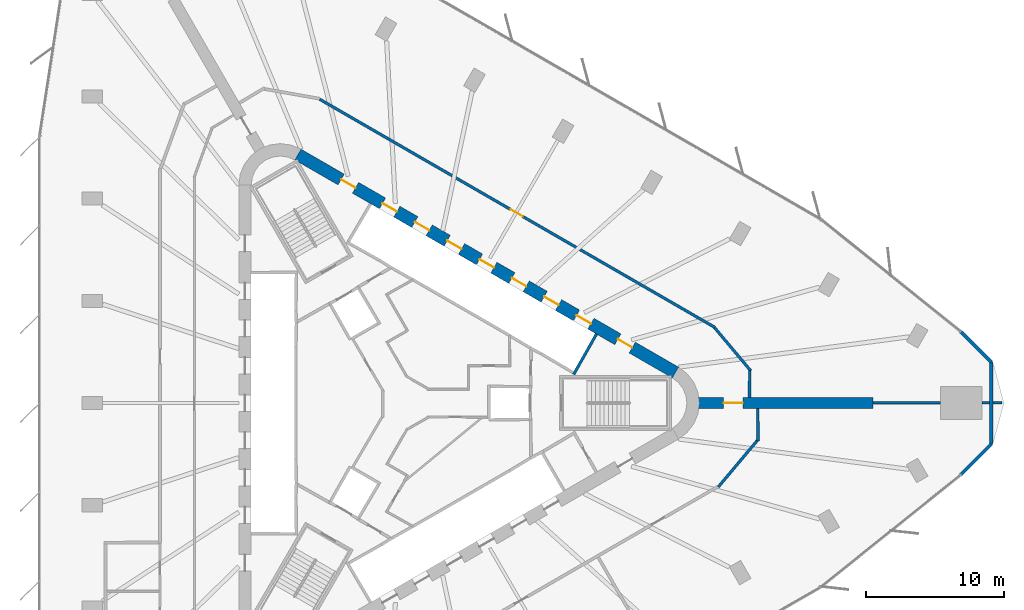
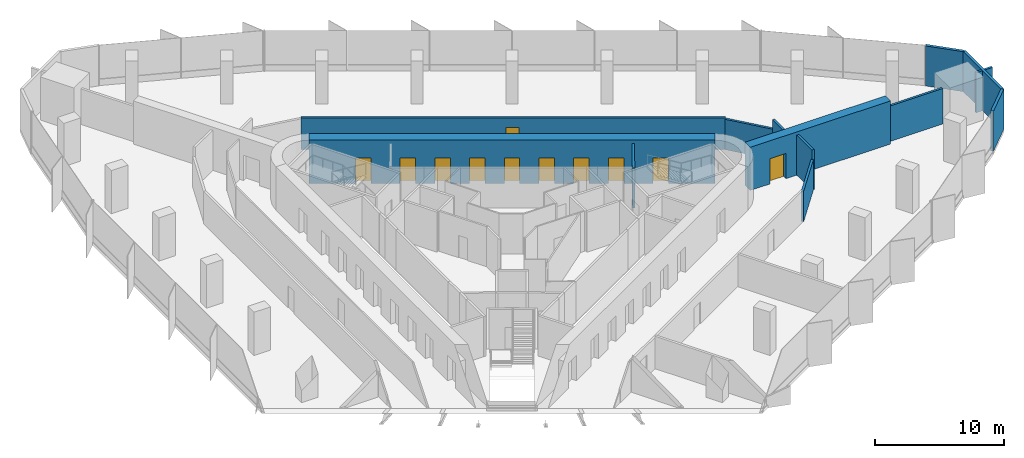
# One storey, part 13 of 15: 14 walls, 11 doors, 11 openings.
"""IFC4 building model written with IfcOpenShell, lengths in metres."""

from ifc_helpers import new_model, si_unit, direction, frame, frame_2d, origin, place, context, subcontext, project, spatial, rectangle, extrude, material, layer, layer_set, type_object, element, fill, save


model = new_model("IFC4")

# Units and contexts
model_context = context("Model", 3, precision=1e-05, world=origin(), true_north=direction((0.0, 1.0)))
body_context = subcontext(model_context, "Body", "Model", "MODEL_VIEW")
ifc_project = project(units=[si_unit("LENGTHUNIT", "METRE"), si_unit("AREAUNIT", "SQUARE_METRE"), si_unit("VOLUMEUNIT", "CUBIC_METRE"), si_unit("PLANEANGLEUNIT", "RADIAN"), si_unit("MASSUNIT", "GRAM", prefix="KILO")], contexts=[model_context])

# Site, building, storey
site_placement = place(None, origin())
site = spatial("IfcSite", under=ifc_project, at=site_placement, CompositionType="ELEMENT")
building_placement = place(site_placement, origin())
building = spatial("IfcBuilding", under=site, at=building_placement, Name="Tanit Gate Tower", CompositionType="ELEMENT")
storey_placement = place(building_placement, frame((0.0, 0.0, 135.699951171875)))
storey = spatial("IfcBuildingStorey", under=building, at=storey_placement, Name="L29", CompositionType="ELEMENT", Elevation=135.699951171875)

# Wall, opening, door
ifc_material_1 = material(Name="Concrete C60/75", Category="concrete")
ifc_layer_1 = layer(ifc_material_1, 0.800048828125)
ifc_layer_set_1 = layer_set([ifc_layer_1], Name="BUTTRESS FIN 800 C60/75")
wall_type_1 = type_object("IfcWallType", Name="BUTTRESS FIN 800 C60/75", PredefinedType="SHEAR", material=ifc_layer_set_1)
wall_1_placement = place(storey_placement, frame((21.14990234375, 0.0, 0.0), z_axis=(0.0, 0.0, 1.0), x_axis=(1.0, 0.0, 0.0)))
wall_1 = element("IfcWall", 1, at=wall_1_placement, inside=storey, type_object=wall_type_1, Name="BUTTRESS FIN", PredefinedType="SHEAR", context=body_context, shape_type="SweptSolid", body=[
    extrude(rectangle(XDim=12.59814453125, YDim=0.800048828125, at=frame_2d((6.299072265625, 0.0))), origin(), (0.0, 0.0, 1.0), 4.10009765625),
])
opening_1_placement = place(wall_1_placement, frame((1.800048828125, 0.0, 0.0)))
opening_1 = element("IfcOpeningElement", 2, at=opening_1_placement, cuts=wall_1, Name="Opening P14-S07-F-E-1", PredefinedType="OPENING", context=body_context, shape_type="SweptSolid", body=[
    extrude(rectangle(XDim=1.39990234375, YDim=2.39990234375, at=frame_2d((0.699951171875, 1.199951171875))), frame((0.0, 0.41015625, 0.0), z_axis=(0.0, -1.0, 0.0), x_axis=(1.0, 0.0, 0.0)), (0.0, 0.0, 1.0), 0.820068359375),
])
ifc_material_2 = material(Name="Timber door leaf", Category="wood")
door_type_1 = type_object("IfcDoorType", Name="INT-DOOR-FIN-PAIR-1400", OperationType="NOTDEFINED", PredefinedType="NOTDEFINED", material=ifc_material_2)
door_1_placement = place(opening_1_placement, origin())
door_1 = element("IfcDoor", 3, at=door_1_placement, inside=storey, type_object=door_type_1, Name="Door P14-S07-F-E-1", OperationType="DOUBLE_DOOR_SINGLE_SWING", OverallHeight=2.39990234375, OverallWidth=1.39990234375, PredefinedType="NOTDEFINED", context=body_context, shape_type="SweptSolid", body=[
    extrude(rectangle(XDim=1.39990234375, YDim=2.39990234375, at=frame_2d((0.699951171875, 1.199951171875))), frame((0.0, 0.02490234375, 0.0), z_axis=(0.0, -1.0, 0.0), x_axis=(1.0, 0.0, 0.0)), (0.0, 0.0, 1.0), 0.050048828125),
])
fill(opening_1, door_1)

# Wall, openings, doors
ifc_material_3 = material(Name="Concrete C60/75", Category="concrete")
ifc_layer_2 = layer(ifc_material_3, 0.89990234375)
ifc_layer_set_2 = layer_set([ifc_layer_2], Name="CORE WALL 900 C60/75")
wall_type_2 = type_object("IfcWallType", Name="CORE WALL 900 C60/75", PredefinedType="SHEAR", material=ifc_layer_set_2)
wall_2_placement = place(storey_placement, frame((19.47509765625, 2.20849609375, 0.0), z_axis=(0.0, 0.0, 1.0), x_axis=(-0.866028369851, 0.499994862586, 0.0)))
wall_2 = element("IfcWall", 4, at=wall_2_placement, inside=storey, type_object=wall_type_2, Name="CORE WALL", PredefinedType="SHEAR", context=body_context, shape_type="SweptSolid", body=[
    extrude(rectangle(XDim=31.523193359375, YDim=0.89990234375, at=frame_2d((15.76171875, 0.0))), origin(), (0.0, 0.0, 1.0), 4.10009765625),
])
opening_2_placement = place(wall_2_placement, frame((7.0615234375, 0.0, 0.0)))
opening_2 = element("IfcOpeningElement", 5, at=opening_2_placement, cuts=wall_2, Name="Opening LDLL8-S07", PredefinedType="OPENING", context=body_context, shape_type="SweptSolid", body=[
    extrude(rectangle(XDim=1.199951171875, YDim=2.39990234375, at=frame_2d((0.60009765625, 1.199951171875))), frame((0.0, 0.4599609375, 0.0), z_axis=(0.0, -1.0, 0.0), x_axis=(1.0, 0.0, 0.0)), (0.0, 0.0, 1.0), 0.919921875),
])
opening_3_placement = place(wall_2_placement, frame((9.76171875, 0.0, 0.0)))
opening_3 = element("IfcOpeningElement", 6, at=opening_3_placement, cuts=wall_2, Name="Opening LDLL9-S07", PredefinedType="OPENING", context=body_context, shape_type="SweptSolid", body=[
    extrude(rectangle(XDim=1.199951171875, YDim=2.39990234375, at=frame_2d((0.60009765625, 1.199951171875))), frame((0.0, 0.4599609375, 0.0), z_axis=(0.0, -1.0, 0.0), x_axis=(1.0, 0.0, 0.0)), (0.0, 0.0, 1.0), 0.919921875),
])
opening_4_placement = place(wall_2_placement, frame((12.461669921875, 0.0, 0.0)))
opening_4 = element("IfcOpeningElement", 7, at=opening_4_placement, cuts=wall_2, Name="Opening LDLL10-S07", PredefinedType="OPENING", context=body_context, shape_type="SweptSolid", body=[
    extrude(rectangle(XDim=1.199951171875, YDim=2.39990234375, at=frame_2d((0.60009765625, 1.199951171875))), frame((0.0, 0.4599609375, 0.0), z_axis=(0.0, -1.0, 0.0), x_axis=(1.0, 0.0, 0.0)), (0.0, 0.0, 1.0), 0.919921875),
])
opening_5_placement = place(wall_2_placement, frame((15.16162109375, 0.0, 0.0)))
opening_5 = element("IfcOpeningElement", 8, at=opening_5_placement, cuts=wall_2, Name="Opening LDSL1-S07", PredefinedType="OPENING", context=body_context, shape_type="SweptSolid", body=[
    extrude(rectangle(XDim=1.199951171875, YDim=2.39990234375, at=frame_2d((0.60009765625, 1.199951171875))), frame((0.0, 0.4599609375, 0.0), z_axis=(0.0, -1.0, 0.0), x_axis=(1.0, 0.0, 0.0)), (0.0, 0.0, 1.0), 0.919921875),
])
opening_6_placement = place(wall_2_placement, frame((17.861572265625, 0.0, 0.0)))
opening_6 = element("IfcOpeningElement", 9, at=opening_6_placement, cuts=wall_2, Name="Opening LDSL2-S07", PredefinedType="OPENING", context=body_context, shape_type="SweptSolid", body=[
    extrude(rectangle(XDim=1.199951171875, YDim=2.39990234375, at=frame_2d((0.60009765625, 1.199951171875))), frame((0.0, 0.4599609375, 0.0), z_axis=(0.0, -1.0, 0.0), x_axis=(1.0, 0.0, 0.0)), (0.0, 0.0, 1.0), 0.919921875),
])
opening_7_placement = place(wall_2_placement, frame((20.5615234375, 0.0, 0.0)))
opening_7 = element("IfcOpeningElement", 10, at=opening_7_placement, cuts=wall_2, Name="Opening LDSL3-S07", PredefinedType="OPENING", context=body_context, shape_type="SweptSolid", body=[
    extrude(rectangle(XDim=1.199951171875, YDim=2.39990234375, at=frame_2d((0.60009765625, 1.199951171875))), frame((0.0, 0.4599609375, 0.0), z_axis=(0.0, -1.0, 0.0), x_axis=(1.0, 0.0, 0.0)), (0.0, 0.0, 1.0), 0.919921875),
])
opening_8_placement = place(wall_2_placement, frame((23.26171875, 0.0, 0.0)))
opening_8 = element("IfcOpeningElement", 11, at=opening_8_placement, cuts=wall_2, Name="Opening LDSL4-S07", PredefinedType="OPENING", context=body_context, shape_type="SweptSolid", body=[
    extrude(rectangle(XDim=1.199951171875, YDim=2.39990234375, at=frame_2d((0.60009765625, 1.199951171875))), frame((0.0, 0.4599609375, 0.0), z_axis=(0.0, -1.0, 0.0), x_axis=(1.0, 0.0, 0.0)), (0.0, 0.0, 1.0), 0.919921875),
])
opening_9_placement = place(wall_2_placement, frame((3.611572265625, 0.0, 0.0)))
opening_9 = element("IfcOpeningElement", 12, at=opening_9_placement, cuts=wall_2, Name="Opening F12-S07-FL1", PredefinedType="OPENING", context=body_context, shape_type="SweptSolid", body=[
    extrude(rectangle(XDim=1.199951171875, YDim=2.39990234375, at=frame_2d((0.60009765625, 1.199951171875))), frame((0.0, 0.4599609375, 0.0), z_axis=(0.0, -1.0, 0.0), x_axis=(1.0, 0.0, 0.0)), (0.0, 0.0, 1.0), 0.919921875),
])
opening_10_placement = place(wall_2_placement, frame((26.711669921875, 0.0, 0.0)))
opening_10 = element("IfcOpeningElement", 13, at=opening_10_placement, cuts=wall_2, Name="Opening F12-S07-S2", PredefinedType="OPENING", context=body_context, shape_type="SweptSolid", body=[
    extrude(rectangle(XDim=1.199951171875, YDim=2.39990234375, at=frame_2d((0.60009765625, 1.199951171875))), frame((0.0, 0.4599609375, 0.0), z_axis=(0.0, -1.0, 0.0), x_axis=(1.0, 0.0, 0.0)), (0.0, 0.0, 1.0), 0.919921875),
])
ifc_material_4 = material(Name="Fire-rated steel door leaf", Category="steel")
door_type_2 = type_object("IfcDoorType", Name="INT-DOOR-FIRE-LOBBY-1200", OperationType="NOTDEFINED", PredefinedType="USERDEFINED", material=ifc_material_4)
door_2_placement = place(opening_9_placement, origin())
door_2 = element("IfcDoor", 14, at=door_2_placement, inside=storey, type_object=door_type_2, Name="Door F12-S07-FL1", ObjectType="FIRE DOOR", OperationType="SINGLE_SWING_RIGHT", OverallHeight=2.39990234375, OverallWidth=1.199951171875, PredefinedType="USERDEFINED", context=body_context, shape_type="SweptSolid", body=[
    extrude(rectangle(XDim=1.199951171875, YDim=2.39990234375, at=frame_2d((0.60009765625, 1.199951171875))), frame((0.0, 0.02490234375, 0.0), z_axis=(0.0, -1.0, 0.0), x_axis=(1.0, 0.0, 0.0)), (0.0, 0.0, 1.0), 0.050048828125),
])
fill(opening_9, door_2)
door_3_placement = place(opening_10_placement, origin())
door_3 = element("IfcDoor", 15, at=door_3_placement, inside=storey, type_object=door_type_2, Name="Door F12-S07-S2", ObjectType="FIRE DOOR", OperationType="SINGLE_SWING_LEFT", OverallHeight=2.39990234375, OverallWidth=1.199951171875, PredefinedType="USERDEFINED", context=body_context, shape_type="SweptSolid", body=[
    extrude(rectangle(XDim=1.199951171875, YDim=2.39990234375, at=frame_2d((0.60009765625, 1.199951171875))), frame((0.0, 0.02490234375, 0.0), z_axis=(0.0, -1.0, 0.0), x_axis=(1.0, 0.0, 0.0)), (0.0, 0.0, 1.0), 0.050048828125),
])
fill(opening_10, door_3)
ifc_material_5 = material(Name="Stainless steel sliding door leaf", Category="steel")
door_type_3 = type_object("IfcDoorType", Name="INT-DOOR-LANDING-1200", OperationType="NOTDEFINED", PredefinedType="USERDEFINED", material=ifc_material_5)
door_4_placement = place(opening_2_placement, origin())
door_4 = element("IfcDoor", 16, at=door_4_placement, inside=storey, type_object=door_type_3, Name="Door LDLL8-S07", ObjectType="LANDING DOOR", OperationType="SLIDING_TO_LEFT", OverallHeight=2.39990234375, OverallWidth=1.199951171875, PredefinedType="USERDEFINED", context=body_context, shape_type="SweptSolid", body=[
    extrude(rectangle(XDim=1.199951171875, YDim=2.39990234375, at=frame_2d((0.60009765625, 1.199951171875))), frame((0.0, 0.02490234375, 0.0), z_axis=(0.0, -1.0, 0.0), x_axis=(1.0, 0.0, 0.0)), (0.0, 0.0, 1.0), 0.050048828125),
])
fill(opening_2, door_4)
door_5_placement = place(opening_3_placement, origin())
door_5 = element("IfcDoor", 17, at=door_5_placement, inside=storey, type_object=door_type_3, Name="Door LDLL9-S07", ObjectType="LANDING DOOR", OperationType="SLIDING_TO_LEFT", OverallHeight=2.39990234375, OverallWidth=1.199951171875, PredefinedType="USERDEFINED", context=body_context, shape_type="SweptSolid", body=[
    extrude(rectangle(XDim=1.199951171875, YDim=2.39990234375, at=frame_2d((0.60009765625, 1.199951171875))), frame((0.0, 0.02490234375, 0.0), z_axis=(0.0, -1.0, 0.0), x_axis=(1.0, 0.0, 0.0)), (0.0, 0.0, 1.0), 0.050048828125),
])
fill(opening_3, door_5)
door_6_placement = place(opening_4_placement, origin())
door_6 = element("IfcDoor", 18, at=door_6_placement, inside=storey, type_object=door_type_3, Name="Door LDLL10-S07", ObjectType="LANDING DOOR", OperationType="SLIDING_TO_LEFT", OverallHeight=2.39990234375, OverallWidth=1.199951171875, PredefinedType="USERDEFINED", context=body_context, shape_type="SweptSolid", body=[
    extrude(rectangle(XDim=1.199951171875, YDim=2.39990234375, at=frame_2d((0.60009765625, 1.199951171875))), frame((0.0, 0.02490234375, 0.0), z_axis=(0.0, -1.0, 0.0), x_axis=(1.0, 0.0, 0.0)), (0.0, 0.0, 1.0), 0.050048828125),
])
fill(opening_4, door_6)
door_7_placement = place(opening_5_placement, origin())
door_7 = element("IfcDoor", 19, at=door_7_placement, inside=storey, type_object=door_type_3, Name="Door LDSL1-S07", ObjectType="LANDING DOOR", OperationType="SLIDING_TO_LEFT", OverallHeight=2.39990234375, OverallWidth=1.199951171875, PredefinedType="USERDEFINED", context=body_context, shape_type="SweptSolid", body=[
    extrude(rectangle(XDim=1.199951171875, YDim=2.39990234375, at=frame_2d((0.60009765625, 1.199951171875))), frame((0.0, 0.02490234375, 0.0), z_axis=(0.0, -1.0, 0.0), x_axis=(1.0, 0.0, 0.0)), (0.0, 0.0, 1.0), 0.050048828125),
])
fill(opening_5, door_7)
door_8_placement = place(opening_6_placement, origin())
door_8 = element("IfcDoor", 20, at=door_8_placement, inside=storey, type_object=door_type_3, Name="Door LDSL2-S07", ObjectType="LANDING DOOR", OperationType="SLIDING_TO_LEFT", OverallHeight=2.39990234375, OverallWidth=1.199951171875, PredefinedType="USERDEFINED", context=body_context, shape_type="SweptSolid", body=[
    extrude(rectangle(XDim=1.199951171875, YDim=2.39990234375, at=frame_2d((0.60009765625, 1.199951171875))), frame((0.0, 0.02490234375, 0.0), z_axis=(0.0, -1.0, 0.0), x_axis=(1.0, 0.0, 0.0)), (0.0, 0.0, 1.0), 0.050048828125),
])
fill(opening_6, door_8)
door_9_placement = place(opening_7_placement, origin())
door_9 = element("IfcDoor", 21, at=door_9_placement, inside=storey, type_object=door_type_3, Name="Door LDSL3-S07", ObjectType="LANDING DOOR", OperationType="SLIDING_TO_LEFT", OverallHeight=2.39990234375, OverallWidth=1.199951171875, PredefinedType="USERDEFINED", context=body_context, shape_type="SweptSolid", body=[
    extrude(rectangle(XDim=1.199951171875, YDim=2.39990234375, at=frame_2d((0.60009765625, 1.199951171875))), frame((0.0, 0.02490234375, 0.0), z_axis=(0.0, -1.0, 0.0), x_axis=(1.0, 0.0, 0.0)), (0.0, 0.0, 1.0), 0.050048828125),
])
fill(opening_7, door_9)
door_10_placement = place(opening_8_placement, origin())
door_10 = element("IfcDoor", 22, at=door_10_placement, inside=storey, type_object=door_type_3, Name="Door LDSL4-S07", ObjectType="LANDING DOOR", OperationType="SLIDING_TO_LEFT", OverallHeight=2.39990234375, OverallWidth=1.199951171875, PredefinedType="USERDEFINED", context=body_context, shape_type="SweptSolid", body=[
    extrude(rectangle(XDim=1.199951171875, YDim=2.39990234375, at=frame_2d((0.60009765625, 1.199951171875))), frame((0.0, 0.02490234375, 0.0), z_axis=(0.0, -1.0, 0.0), x_axis=(1.0, 0.0, 0.0)), (0.0, 0.0, 1.0), 0.050048828125),
])
fill(opening_8, door_10)

# Walls
ifc_material_6 = material(Name="Concrete C30/37 with bronze anodised aluminium cladding", Category="concrete")
ifc_layer_3 = layer(ifc_material_6, 0.239990234375)
ifc_layer_set_3 = layer_set([ifc_layer_3], Name="Facade wall bronze clad 240")
wall_type_3 = type_object("IfcWallType", Name="Facade wall bronze clad 240", PredefinedType="SOLIDWALL", material=ifc_layer_set_3)
wall_3_placement = place(storey_placement, frame((40.1201171875, -5.154052734375, 0.0), z_axis=(0.0, 0.0, 1.0), x_axis=(0.707146214964, 0.70706734521, 0.0)))
element("IfcWall", 23, at=wall_3_placement, inside=storey, type_object=wall_type_3, Name="Bronze-clad facade wall L29 E.arc1", PredefinedType="SOLIDWALL", context=body_context, shape_type="SweptSolid", body=[
    extrude(rectangle(XDim=3.095458984375, YDim=0.239990234375, at=frame_2d((1.5478515625, 0.0))), origin(), (0.0, 0.0, 1.0), 3.800048828125),
])
wall_4_placement = place(storey_placement, frame((42.30908203125, -2.96533203125, 0.0), z_axis=(0.0, 0.0, 1.0), x_axis=(0.0, 1.0, 0.0)))
element("IfcWall", 24, at=wall_4_placement, inside=storey, type_object=wall_type_3, Name="Bronze-clad facade wall L29 E.arc2", PredefinedType="SOLIDWALL", context=body_context, shape_type="SweptSolid", body=[
    extrude(rectangle(XDim=5.9306640625, YDim=0.239990234375, at=frame_2d((2.96533203125, 0.0))), origin(), (0.0, 0.0, 1.0), 3.800048828125),
])
wall_5_placement = place(storey_placement, frame((42.30908203125, 2.96533203125, 0.0), z_axis=(0.0, 0.0, 1.0), x_axis=(-0.707146214964, 0.70706734521, 0.0)))
element("IfcWall", 25, at=wall_5_placement, inside=storey, type_object=wall_type_3, Name="Bronze-clad facade wall L29 E.arc3", PredefinedType="SOLIDWALL", context=body_context, shape_type="SweptSolid", body=[
    extrude(rectangle(XDim=3.095458984375, YDim=0.239990234375, at=frame_2d((1.5478515625, 0.0))), origin(), (0.0, 0.0, 1.0), 3.800048828125),
])

# Wall, opening, door
ifc_material_7 = material(Name="Fire-rated gypsum board partition")
ifc_layer_4 = layer(ifc_material_7, 0.199951171875)
ifc_layer_set_4 = layer_set([ifc_layer_4], Name="INT-WALL-COMPARTMENT")
wall_type_4 = type_object("IfcWallType", Name="INT-WALL-COMPARTMENT", PredefinedType="PARTITIONING", material=ifc_layer_set_4)
wall_6_placement = place(storey_placement, frame((22.335693359375, 5.46435546875, 0.0), z_axis=(0.0, 0.0, 1.0), x_axis=(-0.866027503332, 0.499996363459, 0.0)))
wall_6 = element("IfcWall", 26, at=wall_6_placement, inside=storey, type_object=wall_type_4, Name="Wall Compartment W102", PredefinedType="PARTITIONING", context=body_context, shape_type="SweptSolid", body=[
    extrude(rectangle(XDim=33.022216796875, YDim=0.199951171875, at=frame_2d((16.51123046875, 0.0))), origin(), (0.0, 0.0, 1.0), 2.97998046875),
])
opening_11_placement = place(wall_6_placement, frame((16.06103515625, 0.0, 0.0)))
opening_11 = element("IfcOpeningElement", 27, at=opening_11_placement, cuts=wall_6, Name="Opening F10-S07-24", PredefinedType="OPENING", context=body_context, shape_type="SweptSolid", body=[
    extrude(rectangle(XDim=1.0, YDim=2.10009765625, at=frame_2d((0.5, 1.050048828125))), frame((0.0, 0.10986328125, 0.0), z_axis=(0.0, -1.0, 0.0), x_axis=(1.0, 0.0, 0.0)), (0.0, 0.0, 1.0), 0.219970703125),
])
ifc_material_8 = material(Name="Fire-rated steel door leaf", Category="steel")
door_type_4 = type_object("IfcDoorType", Name="INT-DOOR-FIRE-1000", OperationType="NOTDEFINED", PredefinedType="USERDEFINED", material=ifc_material_8)
door_11_placement = place(opening_11_placement, origin())
door_11 = element("IfcDoor", 28, at=door_11_placement, inside=storey, type_object=door_type_4, Name="Door F10-S07-24", ObjectType="FIRE DOOR", OperationType="SINGLE_SWING_LEFT", OverallHeight=2.10009765625, OverallWidth=1.0, PredefinedType="USERDEFINED", context=body_context, shape_type="SweptSolid", body=[
    extrude(rectangle(XDim=1.0, YDim=2.10009765625, at=frame_2d((0.5, 1.050048828125))), frame((0.0, 0.02490234375, 0.0), z_axis=(0.0, -1.0, 0.0), x_axis=(1.0, 0.0, 0.0)), (0.0, 0.0, 1.0), 0.050048828125),
])
fill(opening_11, door_11)

# Walls
wall_7_placement = place(storey_placement, frame((24.9208984375, 2.330078125, 0.0), z_axis=(0.0, 0.0, 1.0), x_axis=(-0.642791169301, 0.766041456234, 0.0)))
element("IfcWall", 29, at=wall_7_placement, inside=storey, type_object=wall_type_4, Name="Wall Compartment W103", PredefinedType="PARTITIONING", context=body_context, shape_type="SweptSolid", body=[
    extrude(rectangle(XDim=4.056884765625, YDim=0.199951171875, at=frame_2d((2.0283203125, 0.0))), origin(), (0.0, 0.0, 1.0), 2.880126953125),
])
wall_8_placement = place(storey_placement, frame((24.8212890625, 0.39990234375, 0.0), z_axis=(0.0, 0.0, 1.0), x_axis=(0.01239062247, 0.999923233291, 0.0)))
element("IfcWall", 30, at=wall_8_placement, inside=storey, type_object=wall_type_4, Name="Wall Compartment W104", PredefinedType="PARTITIONING", context=body_context, shape_type="SweptSolid", body=[
    extrude(rectangle(XDim=1.970458984375, YDim=0.199951171875, at=frame_2d((0.9853515625, 0.0))), origin(), (0.0, 0.0, 1.0), 3.800048828125),
])
wall_9_placement = place(storey_placement, frame((25.447509765625, -2.75390625, 0.0), z_axis=(0.0, 0.0, 1.0), x_axis=(-0.011407679147, 0.999934930311, 0.0)))
element("IfcWall", 31, at=wall_9_placement, inside=storey, type_object=wall_type_4, Name="Wall Compartment W105", PredefinedType="PARTITIONING", context=body_context, shape_type="SweptSolid", body=[
    extrude(rectangle(XDim=2.354248046875, YDim=0.199951171875, at=frame_2d((1.17724609375, 0.0))), origin(), (0.0, 0.0, 1.0), 3.800048828125),
])
wall_10_placement = place(storey_placement, frame((22.576416015625, -6.0576171875, 0.0), z_axis=(0.0, 0.0, 1.0), x_axis=(0.642769295272, 0.766059810364, 0.0)))
element("IfcWall", 32, at=wall_10_placement, inside=storey, type_object=wall_type_4, Name="Wall Compartment W106", PredefinedType="PARTITIONING", context=body_context, shape_type="SweptSolid", body=[
    extrude(rectangle(XDim=4.415771484375, YDim=0.199951171875, at=frame_2d((2.2080078125, 0.0))), origin(), (0.0, 0.0, 1.0), 2.880126953125),
])
wall_11_placement = place(storey_placement, frame((33.748046875, 0.018798828125, 0.0), z_axis=(0.0, 0.0, 1.0), x_axis=(0.999997351569, 0.002301489877, 0.0)))
element("IfcWall", 33, at=wall_11_placement, inside=storey, type_object=wall_type_4, Name="Wall Compartment W127", PredefinedType="PARTITIONING", context=body_context, shape_type="SweptSolid", body=[
    extrude(rectangle(XDim=4.879638671875, YDim=0.199951171875, at=frame_2d((2.43994140625, 0.0))), origin(), (0.0, 0.0, 1.0), 3.3701171875),
])
wall_12_placement = place(storey_placement, frame((41.627685546875, 0.030029296875, 0.0), z_axis=(0.0, 0.0, 1.0), x_axis=(1.0, 0.0, 0.0)))
element("IfcWall", 34, at=wall_12_placement, inside=storey, type_object=wall_type_4, Name="Wall Compartment W128", PredefinedType="PARTITIONING", context=body_context, shape_type="SweptSolid", body=[
    extrude(rectangle(XDim=0.561279296875, YDim=0.199951171875, at=frame_2d((0.28076171875, 0.0))), origin(), (0.0, 0.0, 1.0), 3.800048828125),
])
wall_13_placement = place(storey_placement, frame((42.428955078125, 0.030029296875, 0.0), z_axis=(0.0, 0.0, 1.0), x_axis=(1.0, 0.0, 0.0)))
element("IfcWall", 35, at=wall_13_placement, inside=storey, type_object=wall_type_4, Name="Wall Compartment W128x1", PredefinedType="PARTITIONING", context=body_context, shape_type="SweptSolid", body=[
    extrude(rectangle(XDim=0.66650390625, YDim=0.199951171875, at=frame_2d((0.333251953125, 0.0))), origin(), (0.0, 0.0, 1.0), 3.800048828125),
])
ifc_material_9 = material(Name="Gypsum shaft wall system")
ifc_layer_5 = layer(ifc_material_9, 0.199951171875)
ifc_layer_set_5 = layer_set([ifc_layer_5], Name="INT-WALL-SHAFT")
wall_type_5 = type_object("IfcWallType", Name="INT-WALL-SHAFT", PredefinedType="PLUMBINGWALL", material=ifc_layer_set_5)
wall_14_placement = place(storey_placement, frame((12.10986328125, 2.07275390625, 0.0), z_axis=(0.0, 0.0, 1.0), x_axis=(0.49196600604, 0.870614408852, 0.0)))
element("IfcWall", 36, at=wall_14_placement, inside=storey, type_object=wall_type_5, Name="Wall Shaft W013", PredefinedType="PLUMBINGWALL", context=body_context, shape_type="SweptSolid", body=[
    extrude(rectangle(XDim=3.35009765625, YDim=0.199951171875, at=frame_2d((1.675048828125, 0.0))), origin(), (0.0, 0.0, 1.0), 3.800048828125),
])

save(model, "model.ifc")
